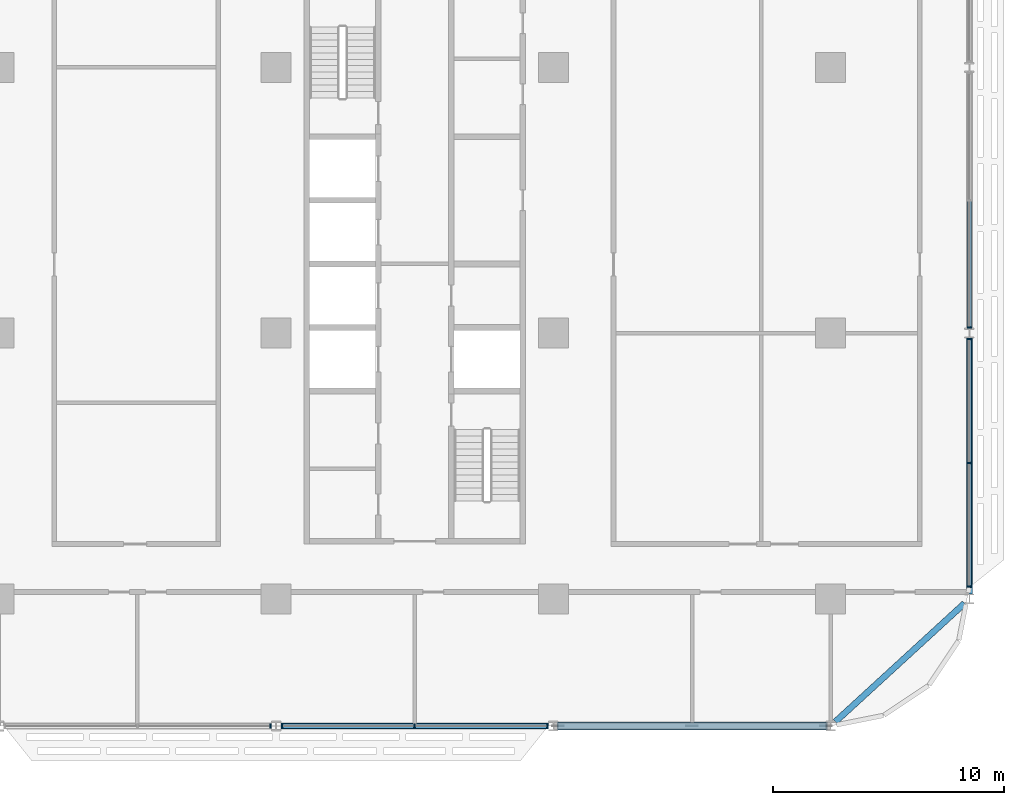
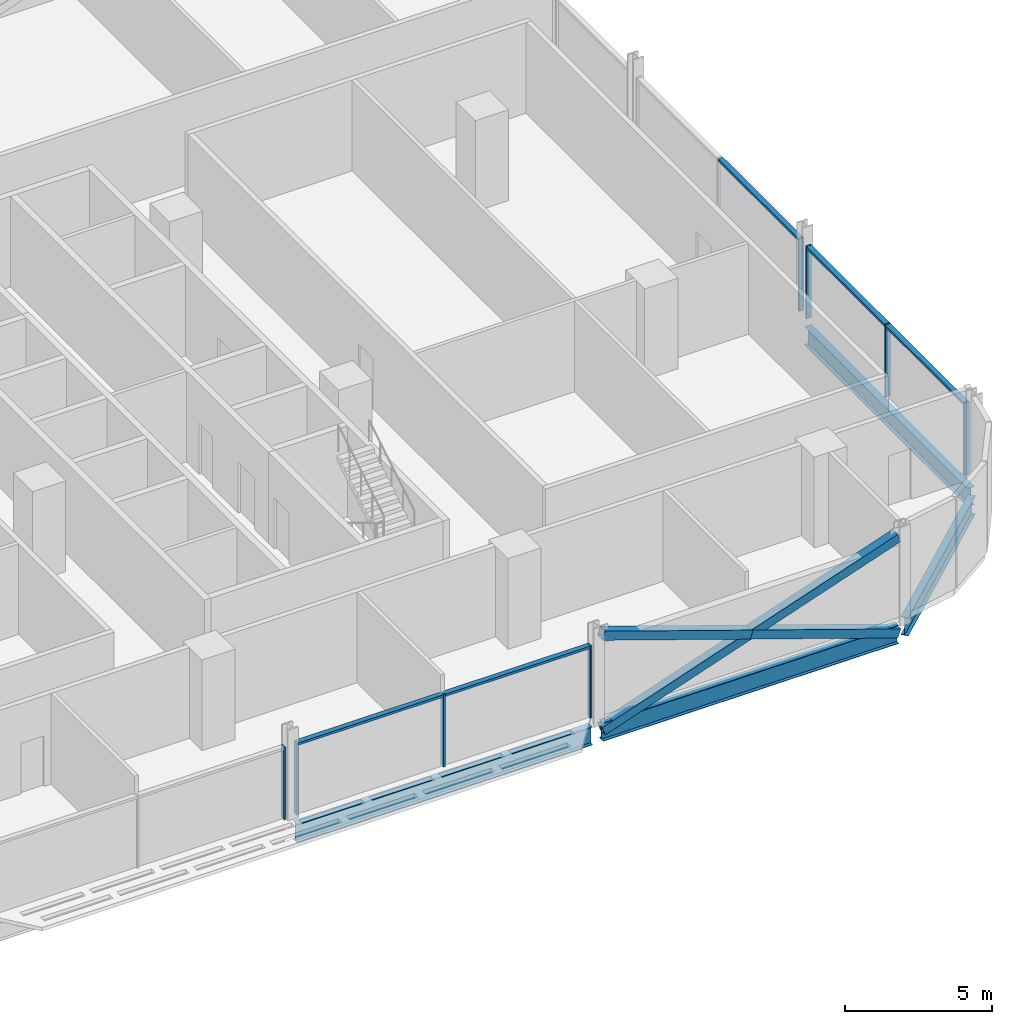
# One storey, part 8 of 28: 16 members, 4 beams, 4 elements without a shape of their own.
"""IFC4 building model written with IfcOpenShell, lengths in metres."""

from ifc_helpers import new_model, si_unit, direction, frame, origin, origin_2d, place, context, subcontext, project, spatial, rectangle, hollow_rectangle, i_section, extrude, material, material_profile, profile_set, type_object, element, aggregate, save


model = new_model("IFC4")

# Units and contexts
model_context = context("Model", 3, precision=1e-05, world=origin(), true_north=direction((0.0, 1.0)))
body_context = subcontext(model_context, "Body", "Model", "MODEL_VIEW")
ifc_project = project(units=[si_unit("LENGTHUNIT", "METRE"), si_unit("AREAUNIT", "SQUARE_METRE"), si_unit("VOLUMEUNIT", "CUBIC_METRE"), si_unit("PLANEANGLEUNIT", "RADIAN"), si_unit("MASSUNIT", "GRAM", prefix="KILO")], contexts=[model_context])

# Site, building, storey
site_placement = place(None, origin())
site = spatial("IfcSite", under=ifc_project, at=site_placement, CompositionType="ELEMENT")
building_placement = place(site_placement, origin())
building = spatial("IfcBuilding", under=site, at=building_placement, Name="Mahtab Terrace Research Tower", CompositionType="ELEMENT")
storey_placement = place(building_placement, frame((0.0, 0.0, 130.199951171875)))
storey = spatial("IfcBuildingStorey", under=building, at=storey_placement, Name="L30", CompositionType="ELEMENT", Elevation=130.199951171875)

# Members
ifc_material_1 = material(Name="Steel ASTM A500 Gr C", Category="steel")
ifc_material_profile_1 = material_profile(ifc_material_1, hollow_rectangle(XDim=0.355712890625, YDim=0.355712890625, WallThickness=0.01904296875, at=origin_2d()), Name="HSS14X14X3/4")
ifc_profile_set_1 = profile_set([ifc_material_profile_1], Name="Steel ASTM A500 Gr C")
member_type_1 = type_object("IfcMemberType", Name="HSS 14x14x3/4 brace XB141434", PredefinedType="BRACE", material=ifc_profile_set_1)
member_1_placement = place(storey_placement, frame((30.205810546875, -17.0, -0.648193359375), z_axis=(0.946288278, 0.0, 0.323324132908), x_axis=(0.0, 1.0, 0.0)))
element("IfcMember", 1, at=member_1_placement, inside=storey, type_object=member_type_1, Name="Exoskeleton brace L30 20 a", PredefinedType="BRACE", context=body_context, shape_type="SweptSolid", body=[
    extrude(hollow_rectangle(XDim=0.355712890625, YDim=0.355712890625, WallThickness=0.01904296875, at=origin_2d()), origin(), (0.0, 0.0, 1.0), 12.24609375),
])
for number, where, z_axis, x_axis, name in (
    (2, (41.794189453125, -17.0, -0.648193359375), (-0.946288278, 0.0, 0.323324132908), (0.0, -1.0, 0.0), "Exoskeleton brace L30 20 b1"),
    (3, (36.0, -17.0, 1.33154296875), (-0.946288278, 0.0, 0.323324132908), (0.0, -1.0, 0.0), "Exoskeleton brace L30 20 b2"),
):
    element("IfcMember", number, at=place(storey_placement, frame(where, z_axis=z_axis, x_axis=x_axis)), inside=storey, type_object=member_type_1, Name=name, PredefinedType="BRACE", context=body_context, shape_type="SweptSolid", body=[
        extrude(hollow_rectangle(XDim=0.355712890625, YDim=0.355712890625, WallThickness=0.01904296875, at=origin_2d()), origin(), (0.0, 0.0, 1.0), 6.123046875),
    ])

# Curtain wall, member
ifc_material_2 = material(Name="Laboratory ribbon curtain wall")
curtain_wall_type = type_object("IfcCurtainWallType", Name="Laboratory ribbon curtain wall", PredefinedType="NOTDEFINED", material=ifc_material_2)
curtain_wall_1_placement = place(storey_placement, origin())
curtain_wall_1 = element("IfcCurtainWall", 4, at=curtain_wall_1_placement, inside=storey, type_object=curtain_wall_type, Name="EN.L30.13.28", PredefinedType="NOTDEFINED")
ifc_material_3 = material(Name="Natural anodised aluminium", Category="aluminium")
ifc_material_profile_2 = material_profile(ifc_material_3, rectangle(XDim=0.199951171875, YDim=0.06494140625, at=origin_2d()), Name="MULLION 65x200")
ifc_profile_set_2 = profile_set([ifc_material_profile_2], Name="Natural anodised aluminium")
member_type_2 = type_object("IfcMemberType", Name="Laboratory ribbon curtain wall mullion", PredefinedType="MULLION", material=ifc_profile_set_2)
member_2_placement = place(storey_placement, frame((17.74951171875, -17.0, 0.0), z_axis=(0.0, 0.0, 1.0), x_axis=(0.0, 1.0, 0.0)))
member_2 = element("IfcMember", 5, at=member_2_placement, type_object=member_type_2, Name="CWL-4 mullion 3", PredefinedType="MULLION", context=body_context, shape_type="SweptSolid", body=[
    extrude(rectangle(XDim=0.199951171875, YDim=0.06494140625, at=origin_2d()), origin(), (0.0, 0.0, 1.0), 3.003173828125),
])
aggregate(curtain_wall_1, [member_2])

# Curtain wall, members
curtain_wall_2_placement = place(storey_placement, origin())
curtain_wall_2 = element("IfcCurtainWall", 6, at=curtain_wall_2_placement, inside=storey, type_object=curtain_wall_type, Name="EN.L30.13.29", PredefinedType="NOTDEFINED")
member_3_placement = place(storey_placement, frame((18.25048828125, -17.0, 0.0), z_axis=(0.0, 0.0, 1.0), x_axis=(0.0, 1.0, 0.0)))
member_3 = element("IfcMember", 7, at=member_3_placement, type_object=member_type_2, Name="CWL-4 mullion 1", PredefinedType="MULLION", context=body_context, shape_type="SweptSolid", body=[
    extrude(rectangle(XDim=0.199951171875, YDim=0.06494140625, at=origin_2d()), origin(), (0.0, 0.0, 1.0), 3.003173828125),
])
member_4_placement = place(storey_placement, frame((24.0, -17.0, 0.0), z_axis=(0.0, 0.0, 1.0), x_axis=(0.0, 1.0, 0.0)))
member_4 = element("IfcMember", 8, at=member_4_placement, type_object=member_type_2, Name="CWL-4 mullion 2", PredefinedType="MULLION", context=body_context, shape_type="SweptSolid", body=[
    extrude(rectangle(XDim=0.199951171875, YDim=0.06494140625, at=origin_2d()), origin(), (0.0, 0.0, 1.0), 3.003173828125),
])
member_5_placement = place(storey_placement, frame((29.74951171875, -17.0, 0.0), z_axis=(0.0, 0.0, 1.0), x_axis=(0.0, 1.0, 0.0)))
member_5 = element("IfcMember", 9, at=member_5_placement, type_object=member_type_2, Name="CWL-4 mullion 3", PredefinedType="MULLION", context=body_context, shape_type="SweptSolid", body=[
    extrude(rectangle(XDim=0.199951171875, YDim=0.06494140625, at=origin_2d()), origin(), (0.0, 0.0, 1.0), 3.003173828125),
])

curtain_wall_3_placement = place(storey_placement, origin())
curtain_wall_3 = element("IfcCurtainWall", 10, at=curtain_wall_3_placement, inside=storey, type_object=curtain_wall_type, Name="EN.L30.18.36", PredefinedType="NOTDEFINED")
member_6_placement = place(storey_placement, frame((48.0, -10.967529296875, 0.0), z_axis=(0.0, 0.0, 1.0), x_axis=(-1.0, 0.0, 0.0)))
member_6 = element("IfcMember", 11, at=member_6_placement, type_object=member_type_2, Name="CWL-4 mullion 1", PredefinedType="MULLION", context=body_context, shape_type="SweptSolid", body=[
    extrude(rectangle(XDim=0.199951171875, YDim=0.06494140625, at=origin_2d()), origin(), (0.0, 0.0, 1.0), 3.003173828125),
])
member_7_placement = place(storey_placement, frame((48.0, -5.60888671875, 0.0), z_axis=(0.0, 0.0, 1.0), x_axis=(-1.0, 0.0, 0.0)))
member_7 = element("IfcMember", 12, at=member_7_placement, type_object=member_type_2, Name="CWL-4 mullion 2", PredefinedType="MULLION", context=body_context, shape_type="SweptSolid", body=[
    extrude(rectangle(XDim=0.199951171875, YDim=0.06494140625, at=origin_2d()), origin(), (0.0, 0.0, 1.0), 3.003173828125),
])
member_8_placement = place(storey_placement, frame((48.0, -0.25048828125, 0.0), z_axis=(0.0, 0.0, 1.0), x_axis=(-1.0, 0.0, 0.0)))
member_8 = element("IfcMember", 13, at=member_8_placement, type_object=member_type_2, Name="CWL-4 mullion 3", PredefinedType="MULLION", context=body_context, shape_type="SweptSolid", body=[
    extrude(rectangle(XDim=0.199951171875, YDim=0.06494140625, at=origin_2d()), origin(), (0.0, 0.0, 1.0), 3.003173828125),
])

# Curtain wall, member
curtain_wall_4_placement = place(storey_placement, origin())
curtain_wall_4 = element("IfcCurtainWall", 14, at=curtain_wall_4_placement, inside=storey, type_object=curtain_wall_type, Name="EN.L30.18.37", PredefinedType="NOTDEFINED")
member_9_placement = place(storey_placement, frame((48.0, 0.25048828125, 0.0), z_axis=(0.0, 0.0, 1.0), x_axis=(-1.0, 0.0, 0.0)))
member_9 = element("IfcMember", 15, at=member_9_placement, type_object=member_type_2, Name="CWL-4 mullion 1", PredefinedType="MULLION", context=body_context, shape_type="SweptSolid", body=[
    extrude(rectangle(XDim=0.199951171875, YDim=0.06494140625, at=origin_2d()), origin(), (0.0, 0.0, 1.0), 3.003173828125),
])

# Member
ifc_material_profile_3 = material_profile(ifc_material_3, rectangle(XDim=0.199951171875, YDim=0.10009765625, at=origin_2d()), Name="TRANSOM 100x200")
ifc_profile_set_3 = profile_set([ifc_material_profile_3], Name="Natural anodised aluminium")
member_type_3 = type_object("IfcMemberType", Name="Laboratory ribbon curtain wall transom", PredefinedType="USERDEFINED", material=ifc_profile_set_3)
member_10_placement = place(storey_placement, frame((18.282958984375, -17.0, 2.953125), z_axis=(1.0, 0.0, 0.0), x_axis=(0.0, 1.0, 0.0)))
member_10 = element("IfcMember", 16, at=member_10_placement, type_object=member_type_3, Name="CWL-4 transom 1", ObjectType="TRANSOM", PredefinedType="USERDEFINED", context=body_context, shape_type="SweptSolid", body=[
    extrude(rectangle(XDim=0.199951171875, YDim=0.10009765625, at=origin_2d()), origin(), (0.0, 0.0, 1.0), 5.6845703125),
])

member_11_placement = place(storey_placement, frame((24.032470703125, -17.0, 2.953125), z_axis=(1.0, 0.0, 0.0), x_axis=(0.0, 1.0, 0.0)))
member_11 = element("IfcMember", 17, at=member_11_placement, type_object=member_type_3, Name="CWL-4 transom 2", ObjectType="TRANSOM", PredefinedType="USERDEFINED", context=body_context, shape_type="SweptSolid", body=[
    extrude(rectangle(XDim=0.199951171875, YDim=0.10009765625, at=origin_2d()), origin(), (0.0, 0.0, 1.0), 5.6845703125),
])

aggregate(curtain_wall_2, [member_3, member_4, member_5, member_10, member_11])

member_12_placement = place(storey_placement, frame((48.0, -10.93505859375, 2.953125), z_axis=(0.0, 1.0, 0.0), x_axis=(-1.0, 0.0, 0.0)))
member_12 = element("IfcMember", 18, at=member_12_placement, type_object=member_type_3, Name="CWL-4 transom 1", ObjectType="TRANSOM", PredefinedType="USERDEFINED", context=body_context, shape_type="SweptSolid", body=[
    extrude(rectangle(XDim=0.199951171875, YDim=0.10009765625, at=origin_2d()), origin(), (0.0, 0.0, 1.0), 5.29345703125),
])

member_13_placement = place(storey_placement, frame((48.0, -5.576416015625, 2.953125), z_axis=(0.0, 1.0, 0.0), x_axis=(-1.0, 0.0, 0.0)))
member_13 = element("IfcMember", 19, at=member_13_placement, type_object=member_type_3, Name="CWL-4 transom 2", ObjectType="TRANSOM", PredefinedType="USERDEFINED", context=body_context, shape_type="SweptSolid", body=[
    extrude(rectangle(XDim=0.199951171875, YDim=0.10009765625, at=origin_2d()), origin(), (0.0, 0.0, 1.0), 5.29345703125),
])

aggregate(curtain_wall_3, [member_6, member_7, member_8, member_12, member_13])

member_14_placement = place(storey_placement, frame((48.0, 0.282958984375, 2.953125), z_axis=(0.0, 1.0, 0.0), x_axis=(-1.0, 0.0, 0.0)))
member_14 = element("IfcMember", 20, at=member_14_placement, type_object=member_type_3, Name="CWL-4 transom 1", ObjectType="TRANSOM", PredefinedType="USERDEFINED", context=body_context, shape_type="SweptSolid", body=[
    extrude(rectangle(XDim=0.199951171875, YDim=0.10009765625, at=origin_2d()), origin(), (0.0, 0.0, 1.0), 5.4345703125),
])

aggregate(curtain_wall_4, [member_9, member_14])

# Beams
ifc_material_4 = material(Name="Steel ASTM A992 Gr 50", Category="steel")
ifc_material_profile_4 = material_profile(ifc_material_4, i_section(OverallWidth=0.2666015625, OverallDepth=0.7568359375, WebThickness=0.013916015625, FlangeThickness=0.019287109375, at=origin_2d()), Name="W30X108")
ifc_profile_set_4 = profile_set([ifc_material_profile_4], Name="Steel ASTM A992 Gr 50")
beam_type = type_object("IfcBeamType", Name="W30x108 beam BS30108", PredefinedType="BEAM", material=ifc_profile_set_4)
for number, where, z_axis, x_axis, name in (
    (21, (18.205810546875, -17.0, -0.718505859375), (1.0, 0.0, 0.0), (0.0, 1.0, 0.0), "Spandrel beam L30 19"),
    (22, (30.205810546875, -17.0, -0.718505859375), (1.0, 0.0, 0.0), (0.0, 1.0, 0.0), "Spandrel beam L30 20"),
):
    element("IfcBeam", number, at=place(storey_placement, frame(where, z_axis=z_axis, x_axis=x_axis)), inside=storey, type_object=beam_type, Name=name, PredefinedType="BEAM", context=body_context, shape_type="SweptSolid", body=[
        extrude(i_section(OverallWidth=0.2666015625, OverallDepth=0.7568359375, WebThickness=0.013916015625, FlangeThickness=0.019287109375, at=origin_2d()), origin(), (0.0, 0.0, 1.0), 11.58837890625),
    ])
beam_1_placement = place(storey_placement, frame((42.205810546875, -16.811279296875, -0.718505859375), z_axis=(0.737162160905, 0.675715878554, 0.0), x_axis=(-0.675715878554, 0.737162160905, 0.0)))
element("IfcBeam", 23, at=beam_1_placement, inside=storey, type_object=beam_type, Name="Spandrel beam L30 21", PredefinedType="BEAM", context=body_context, shape_type="SweptSolid", body=[
    extrude(i_section(OverallWidth=0.2666015625, OverallDepth=0.7568359375, WebThickness=0.013916015625, FlangeThickness=0.019287109375, at=origin_2d()), origin(), (0.0, 0.0, 1.0), 7.5810546875),
])
beam_2_placement = place(storey_placement, frame((48.0, -11.282958984375, -0.718505859375), z_axis=(0.0, 1.0, 0.0), x_axis=(-1.0, 0.0, 0.0)))
element("IfcBeam", 24, at=beam_2_placement, inside=storey, type_object=beam_type, Name="Spandrel beam L30 22", PredefinedType="BEAM", context=body_context, shape_type="SweptSolid", body=[
    extrude(i_section(OverallWidth=0.2666015625, OverallDepth=0.7568359375, WebThickness=0.013916015625, FlangeThickness=0.019287109375, at=origin_2d()), origin(), (0.0, 0.0, 1.0), 11.06591796875),
])

save(model, "model.ifc")
